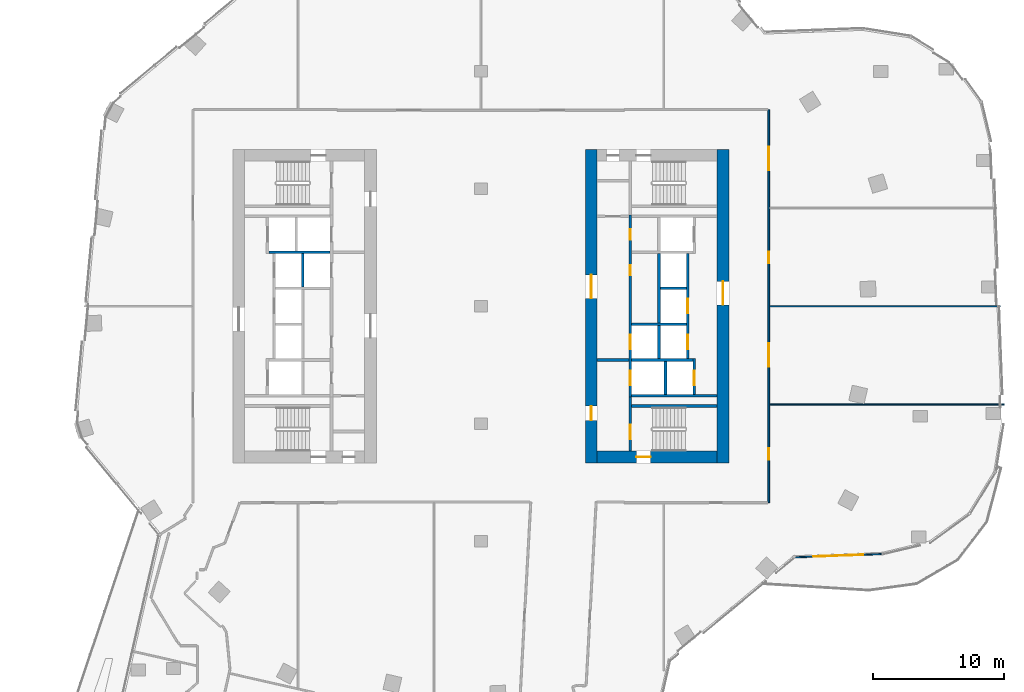
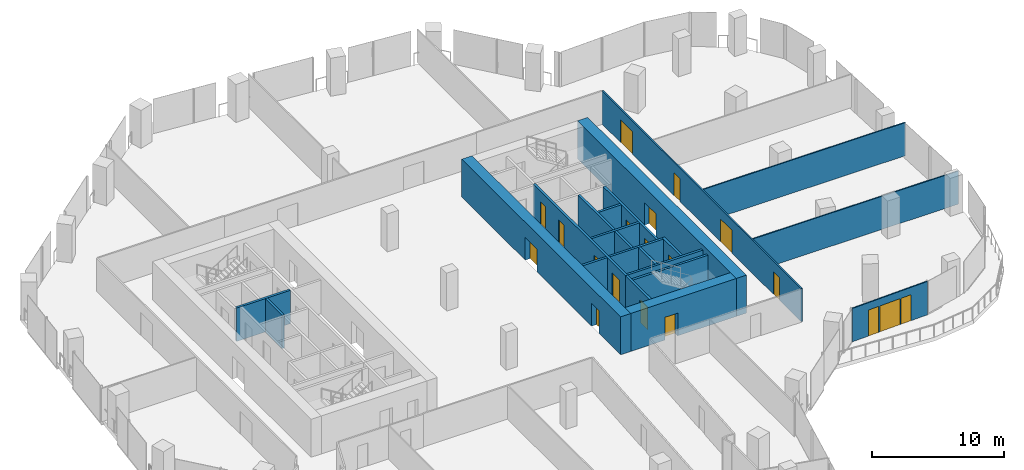
# One storey, part 21 of 28: 22 walls, 17 doors, 2 windows, 19 openings.
"""IFC4 building model written with IfcOpenShell, lengths in metres."""

from ifc_helpers import new_model, si_unit, direction, frame, frame_2d, origin, place, context, subcontext, project, spatial, rectangle, extrude, material, layer, layer_set, type_object, element, fill, save


model = new_model("IFC4")

# Units and contexts
model_context = context("Model", 3, precision=1e-05, world=origin(), true_north=direction((0.0, 1.0)))
body_context = subcontext(model_context, "Body", "Model", "MODEL_VIEW")
ifc_project = project(units=[si_unit("LENGTHUNIT", "METRE"), si_unit("AREAUNIT", "SQUARE_METRE"), si_unit("VOLUMEUNIT", "CUBIC_METRE"), si_unit("PLANEANGLEUNIT", "RADIAN"), si_unit("MASSUNIT", "GRAM", prefix="KILO")], contexts=[model_context])

# Site, building, storey
site_placement = place(None, origin())
site = spatial("IfcSite", under=ifc_project, at=site_placement, CompositionType="ELEMENT")
building_placement = place(site_placement, origin())
building = spatial("IfcBuilding", under=site, at=building_placement, Name="Orlundy Tower", CompositionType="ELEMENT")
storey_placement = place(building_placement, frame((0.0, 0.0, 167.10009765625)))
storey = spatial("IfcBuildingStorey", under=building, at=storey_placement, Name="L43", CompositionType="ELEMENT", Elevation=167.10009765625)

# Wall, opening, door
ifc_material_1 = material(Name="Concrete C70/85", Category="concrete")
ifc_layer_1 = layer(ifc_material_1, 0.89990234375)
ifc_layer_set_1 = layer_set([ifc_layer_1], Name="CORE WALL 900 C70/85")
wall_type_1 = type_object("IfcWallType", Name="CORE WALL 900 C70/85", PredefinedType="SHEAR", material=ifc_layer_set_1)
wall_1_placement = place(storey_placement, frame((8.89990234375, -11.550048828125, 0.0), z_axis=(0.0, 0.0, 1.0), x_axis=(1.0, 0.0, 0.0)))
wall_1 = element("IfcWall", 1, at=wall_1_placement, inside=storey, type_object=wall_type_1, Name="Core wall E-S L43", PredefinedType="SHEAR", context=body_context, shape_type="SweptSolid", body=[
    extrude(rectangle(XDim=9.2001953125, YDim=0.89990234375, at=frame_2d((4.60009765625, 0.0))), origin(), (0.0, 0.0, 1.0), 3.5),
])
opening_1_placement = place(wall_1_placement, frame((3.0, 0.0, 0.0)))
opening_1 = element("IfcOpeningElement", 2, at=opening_1_placement, cuts=wall_1, Name="Opening 34061", PredefinedType="OPENING", context=body_context, shape_type="SweptSolid", body=[
    extrude(rectangle(XDim=1.10009765625, YDim=2.10009765625, at=frame_2d((0.550048828125, 1.050048828125))), frame((0.0, 0.4599609375, 0.0), z_axis=(0.0, -1.0, 0.0), x_axis=(1.0, 0.0, 0.0)), (0.0, 0.0, 1.0), 0.919921875),
])
ifc_material_2 = material(Name="Steel door set", Category="steel")
door_type_1 = type_object("IfcDoorType", Name="Stair Door 1100x2100", OperationType="SINGLE_SWING_LEFT", PredefinedType="DOOR", material=ifc_material_2)
door_1_placement = place(opening_1_placement, origin())
door_1 = element("IfcDoor", 3, at=door_1_placement, inside=storey, type_object=door_type_1, Name="Stair door 34061", OperationType="SINGLE_SWING_LEFT", OverallHeight=2.10009765625, OverallWidth=1.10009765625, PredefinedType="DOOR", context=body_context, shape_type="SweptSolid", body=[
    extrude(rectangle(XDim=1.10009765625, YDim=2.10009765625, at=frame_2d((0.550048828125, 1.050048828125))), frame((0.0, 0.02490234375, 0.0), z_axis=(0.0, -1.0, 0.0), x_axis=(1.0, 0.0, 0.0)), (0.0, 0.0, 1.0), 0.050048828125),
])
fill(opening_1, door_1)

# Wall, openings, doors
wall_2_placement = place(storey_placement, frame((8.449951171875, -12.0, 0.0), z_axis=(0.0, 0.0, 1.0), x_axis=(0.0, 1.0, 0.0)))
wall_2 = element("IfcWall", 4, at=wall_2_placement, inside=storey, type_object=wall_type_1, Name="Core wall E-W L43", PredefinedType="SHEAR", context=body_context, shape_type="SweptSolid", body=[
    extrude(rectangle(XDim=24.0, YDim=0.89990234375, at=frame_2d((12.0, 0.0))), origin(), (0.0, 0.0, 1.0), 3.5),
])
opening_2_placement = place(wall_2_placement, frame((12.60009765625, 0.0, 0.0)))
opening_2 = element("IfcOpeningElement", 5, at=opening_2_placement, cuts=wall_2, Name="Opening 34058", PredefinedType="OPENING", context=body_context, shape_type="SweptSolid", body=[
    extrude(rectangle(XDim=1.800048828125, YDim=2.10009765625, at=frame_2d((0.89990234375, 1.050048828125))), frame((0.0, 0.4599609375, 0.0), z_axis=(0.0, -1.0, 0.0), x_axis=(1.0, 0.0, 0.0)), (0.0, 0.0, 1.0), 0.919921875),
])
opening_3_placement = place(wall_2_placement, frame((3.25, 0.0, 0.0)))
opening_3 = element("IfcOpeningElement", 6, at=opening_3_placement, cuts=wall_2, Name="Opening 34060", PredefinedType="OPENING", context=body_context, shape_type="SweptSolid", body=[
    extrude(rectangle(XDim=1.10009765625, YDim=2.10009765625, at=frame_2d((0.550048828125, 1.050048828125))), frame((0.0, 0.4599609375, 0.0), z_axis=(0.0, -1.0, 0.0), x_axis=(1.0, 0.0, 0.0)), (0.0, 0.0, 1.0), 0.919921875),
])
ifc_material_3 = material(Name="Steel door set", Category="steel")
door_type_2 = type_object("IfcDoorType", Name="Fire-fighting Lobby Door 1100x2100", OperationType="SINGLE_SWING_LEFT", PredefinedType="DOOR", material=ifc_material_3)
door_2_placement = place(opening_3_placement, origin())
door_2 = element("IfcDoor", 7, at=door_2_placement, inside=storey, type_object=door_type_2, Name="Fire-fighting lobby door 34060", OperationType="SINGLE_SWING_LEFT", OverallHeight=2.10009765625, OverallWidth=1.10009765625, PredefinedType="DOOR", context=body_context, shape_type="SweptSolid", body=[
    extrude(rectangle(XDim=1.10009765625, YDim=2.10009765625, at=frame_2d((0.550048828125, 1.050048828125))), frame((0.0, 0.02490234375, 0.0), z_axis=(0.0, -1.0, 0.0), x_axis=(1.0, 0.0, 0.0)), (0.0, 0.0, 1.0), 0.050048828125),
])
fill(opening_3, door_2)
ifc_material_4 = material(Name="Timber door set", Category="wood")
door_type_3 = type_object("IfcDoorType", Name="Lobby Door 1800x2100", OperationType="DOUBLE_DOOR_DOUBLE_SWING", PredefinedType="DOOR", material=ifc_material_4)
door_3_placement = place(opening_2_placement, origin())
door_3 = element("IfcDoor", 8, at=door_3_placement, inside=storey, type_object=door_type_3, Name="Lift lobby door 34058", OperationType="SINGLE_SWING_RIGHT", OverallHeight=2.10009765625, OverallWidth=1.800048828125, PredefinedType="DOOR", context=body_context, shape_type="SweptSolid", body=[
    extrude(rectangle(XDim=1.800048828125, YDim=2.10009765625, at=frame_2d((0.89990234375, 1.050048828125))), frame((0.0, 0.02490234375, 0.0), z_axis=(0.0, -1.0, 0.0), x_axis=(1.0, 0.0, 0.0)), (0.0, 0.0, 1.0), 0.050048828125),
])
fill(opening_2, door_3)

# Wall, opening, door
wall_3_placement = place(storey_placement, frame((18.550048828125, -12.0, 0.0), z_axis=(0.0, 0.0, 1.0), x_axis=(0.0, 1.0, 0.0)))
wall_3 = element("IfcWall", 9, at=wall_3_placement, inside=storey, type_object=wall_type_1, Name="Core wall E-E L43", PredefinedType="SHEAR", context=body_context, shape_type="SweptSolid", body=[
    extrude(rectangle(XDim=24.0, YDim=0.89990234375, at=frame_2d((12.0, 0.0))), origin(), (0.0, 0.0, 1.0), 3.5),
])
opening_4_placement = place(wall_3_placement, frame((12.10009765625, 0.0, 0.0)))
opening_4 = element("IfcOpeningElement", 10, at=opening_4_placement, cuts=wall_3, Name="Opening 34059", PredefinedType="OPENING", context=body_context, shape_type="SweptSolid", body=[
    extrude(rectangle(XDim=1.800048828125, YDim=2.10009765625, at=frame_2d((0.89990234375, 1.050048828125))), frame((0.0, 0.4599609375, 0.0), z_axis=(0.0, -1.0, 0.0), x_axis=(1.0, 0.0, 0.0)), (0.0, 0.0, 1.0), 0.919921875),
])
door_4_placement = place(opening_4_placement, origin())
door_4 = element("IfcDoor", 11, at=door_4_placement, inside=storey, type_object=door_type_3, Name="Lift lobby door 34059", OperationType="SINGLE_SWING_RIGHT", OverallHeight=2.10009765625, OverallWidth=1.800048828125, PredefinedType="DOOR", context=body_context, shape_type="SweptSolid", body=[
    extrude(rectangle(XDim=1.800048828125, YDim=2.10009765625, at=frame_2d((0.89990234375, 1.050048828125))), frame((0.0, 0.02490234375, 0.0), z_axis=(0.0, -1.0, 0.0), x_axis=(1.0, 0.0, 0.0)), (0.0, 0.0, 1.0), 0.050048828125),
])
fill(opening_4, door_4)

# Walls
ifc_material_5 = material(Name="Gypsum board partition")
ifc_layer_2 = layer(ifc_material_5, 0.10009765625)
ifc_layer_set_2 = layer_set([ifc_layer_2], Name="Floor partition 100")
wall_type_2 = type_object("IfcWallType", Name="Floor partition 100", PredefinedType="PARTITIONING", material=ifc_layer_set_2)
wall_4_placement = place(storey_placement, frame((22.113037109375, -7.52392578125, 0.0), z_axis=(0.0, 0.0, 1.0), x_axis=(1.0, 0.0, 0.0)))
element("IfcWall", 12, at=wall_4_placement, inside=storey, type_object=wall_type_2, Name="wall-int-L43-044", PredefinedType="PARTITIONING", context=body_context, shape_type="SweptSolid", body=[
    extrude(rectangle(XDim=17.950927734375, YDim=0.10009765625, at=frame_2d((8.9755859375, 0.0))), origin(), (0.0, 0.0, 1.0), 3.059814453125),
])
wall_5_placement = place(storey_placement, frame((22.113037109375, 0.0, 0.0), z_axis=(0.0, 0.0, 1.0), x_axis=(1.0, 0.0, 0.0)))
element("IfcWall", 13, at=wall_5_placement, inside=storey, type_object=wall_type_2, Name="wall-int-L43-046", PredefinedType="PARTITIONING", context=body_context, shape_type="SweptSolid", body=[
    extrude(rectangle(XDim=17.666015625, YDim=0.10009765625, at=frame_2d((8.8330078125, 0.0))), origin(), (0.0, 0.0, 1.0), 3.059814453125),
])

# Wall, openings, doors
ifc_material_6 = material(Name="Gypsum board partition, double layer")
ifc_layer_3 = layer(ifc_material_6, 0.125)
ifc_layer_set_3 = layer_set([ifc_layer_3], Name="Floor partition 125")
wall_type_3 = type_object("IfcWallType", Name="Floor partition 125", PredefinedType="PARTITIONING", material=ifc_layer_set_3)
wall_6_placement = place(storey_placement, frame((22.051025390625, 15.050048828125, 0.0), z_axis=(0.0, 0.0, 1.0), x_axis=(0.0, -1.0, 0.0)))
wall_6 = element("IfcWall", 14, at=wall_6_placement, inside=storey, type_object=wall_type_3, Name="wall-int-L43-080", PredefinedType="PARTITIONING", context=body_context, shape_type="SweptSolid", body=[
    extrude(rectangle(XDim=30.10009765625, YDim=0.125, at=frame_2d((15.050048828125, 0.0))), origin(), (0.0, 0.0, 1.0), 3.059814453125),
])
opening_5_placement = place(wall_6_placement, frame((25.924072265625, 0.0, 0.0)))
opening_5 = element("IfcOpeningElement", 15, at=opening_5_placement, cuts=wall_6, Name="Opening 34116", PredefinedType="OPENING", context=body_context, shape_type="SweptSolid", body=[
    extrude(rectangle(XDim=0.89990234375, YDim=2.10009765625, at=frame_2d((0.449951171875, 1.050048828125))), frame((0.0, 0.072509765625, 0.0), z_axis=(0.0, -1.0, 0.0), x_axis=(1.0, 0.0, 0.0)), (0.0, 0.0, 1.0), 0.14501953125),
])
opening_6_placement = place(wall_6_placement, frame((17.89990234375, 0.0, 0.0)))
opening_6 = element("IfcOpeningElement", 16, at=opening_6_placement, cuts=wall_6, Name="Opening 34117", PredefinedType="OPENING", context=body_context, shape_type="SweptSolid", body=[
    extrude(rectangle(XDim=1.800048828125, YDim=2.10009765625, at=frame_2d((0.89990234375, 1.050048828125))), frame((0.0, 0.072509765625, 0.0), z_axis=(0.0, -1.0, 0.0), x_axis=(1.0, 0.0, 0.0)), (0.0, 0.0, 1.0), 0.14501953125),
])
opening_7_placement = place(wall_6_placement, frame((10.8759765625, 0.0, 0.0)))
opening_7 = element("IfcOpeningElement", 17, at=opening_7_placement, cuts=wall_6, Name="Opening 34118", PredefinedType="OPENING", context=body_context, shape_type="SweptSolid", body=[
    extrude(rectangle(XDim=0.89990234375, YDim=2.10009765625, at=frame_2d((0.449951171875, 1.050048828125))), frame((0.0, 0.072509765625, 0.0), z_axis=(0.0, -1.0, 0.0), x_axis=(1.0, 0.0, 0.0)), (0.0, 0.0, 1.0), 0.14501953125),
])
opening_8_placement = place(wall_6_placement, frame((2.85009765625, 0.0, 0.0)))
opening_8 = element("IfcOpeningElement", 18, at=opening_8_placement, cuts=wall_6, Name="Opening 34119", PredefinedType="OPENING", context=body_context, shape_type="SweptSolid", body=[
    extrude(rectangle(XDim=1.800048828125, YDim=2.10009765625, at=frame_2d((0.89990234375, 1.050048828125))), frame((0.0, 0.072509765625, 0.0), z_axis=(0.0, -1.0, 0.0), x_axis=(1.0, 0.0, 0.0)), (0.0, 0.0, 1.0), 0.14501953125),
])
ifc_material_7 = material(Name="Timber door leaf", Category="wood")
door_type_4 = type_object("IfcDoorType", Name="Floor door double 1800 FD30S", OperationType="NOTDEFINED", PredefinedType="DOOR", material=ifc_material_7)
door_5_placement = place(opening_6_placement, origin())
door_5 = element("IfcDoor", 19, at=door_5_placement, inside=storey, type_object=door_type_4, Name="Door 34117", OperationType="DOUBLE_DOOR_SINGLE_SWING", OverallHeight=2.10009765625, OverallWidth=1.800048828125, PredefinedType="DOOR", context=body_context, shape_type="SweptSolid", body=[
    extrude(rectangle(XDim=1.800048828125, YDim=2.10009765625, at=frame_2d((0.89990234375, 1.050048828125))), frame((0.0, 0.02490234375, 0.0), z_axis=(0.0, -1.0, 0.0), x_axis=(1.0, 0.0, 0.0)), (0.0, 0.0, 1.0), 0.050048828125),
])
fill(opening_6, door_5)
door_6_placement = place(opening_8_placement, origin())
door_6 = element("IfcDoor", 20, at=door_6_placement, inside=storey, type_object=door_type_4, Name="Door 34119", OperationType="DOUBLE_DOOR_SINGLE_SWING", OverallHeight=2.10009765625, OverallWidth=1.800048828125, PredefinedType="DOOR", context=body_context, shape_type="SweptSolid", body=[
    extrude(rectangle(XDim=1.800048828125, YDim=2.10009765625, at=frame_2d((0.89990234375, 1.050048828125))), frame((0.0, 0.02490234375, 0.0), z_axis=(0.0, -1.0, 0.0), x_axis=(1.0, 0.0, 0.0)), (0.0, 0.0, 1.0), 0.050048828125),
])
fill(opening_8, door_6)
ifc_material_8 = material(Name="Timber door leaf", Category="wood")
door_type_5 = type_object("IfcDoorType", Name="Floor door single 900 FD30S", OperationType="NOTDEFINED", PredefinedType="DOOR", material=ifc_material_8)
door_7_placement = place(opening_5_placement, origin())
door_7 = element("IfcDoor", 21, at=door_7_placement, inside=storey, type_object=door_type_5, Name="Door 34116", OperationType="SINGLE_SWING_RIGHT", OverallHeight=2.10009765625, OverallWidth=0.89990234375, PredefinedType="DOOR", context=body_context, shape_type="SweptSolid", body=[
    extrude(rectangle(XDim=0.89990234375, YDim=2.10009765625, at=frame_2d((0.449951171875, 1.050048828125))), frame((0.0, 0.02490234375, 0.0), z_axis=(0.0, -1.0, 0.0), x_axis=(1.0, 0.0, 0.0)), (0.0, 0.0, 1.0), 0.050048828125),
])
fill(opening_5, door_7)
door_8_placement = place(opening_7_placement, origin())
door_8 = element("IfcDoor", 22, at=door_8_placement, inside=storey, type_object=door_type_5, Name="Door 34118", OperationType="SINGLE_SWING_LEFT", OverallHeight=2.10009765625, OverallWidth=0.89990234375, PredefinedType="DOOR", context=body_context, shape_type="SweptSolid", body=[
    extrude(rectangle(XDim=0.89990234375, YDim=2.10009765625, at=frame_2d((0.449951171875, 1.050048828125))), frame((0.0, 0.02490234375, 0.0), z_axis=(0.0, -1.0, 0.0), x_axis=(1.0, 0.0, 0.0)), (0.0, 0.0, 1.0), 0.050048828125),
])
fill(opening_7, door_8)

# Wall, openings, windows, door
ifc_material_9 = material(Name="Aluminium bronze and tinted glass", Category="aluminium")
ifc_layer_4 = layer(ifc_material_9, 0.10009765625)
ifc_layer_set_4 = layer_set([ifc_layer_4], Name="Glazed door screen")
wall_type_4 = type_object("IfcWallType", Name="Glazed door screen", PredefinedType="STANDARD", material=ifc_layer_set_4)
wall_7_placement = place(storey_placement, frame((30.73095703125, -18.982177734375, 0.0), z_axis=(0.0, 0.0, 1.0), x_axis=(-0.999287341001, -0.037746656995, 0.0)))
wall_7 = element("IfcWall", 23, at=wall_7_placement, inside=storey, type_object=wall_type_4, Name="Glazed door screen", PredefinedType="STANDARD", context=body_context, shape_type="SweptSolid", body=[
    extrude(rectangle(XDim=6.72021484375, YDim=0.10009765625, at=frame_2d((3.360107421875, 0.0))), origin(), (0.0, 0.0, 1.0), 3.079833984375),
])
opening_9_placement = place(wall_7_placement, frame((2.460205078125, 0.0, 0.0)))
opening_9 = element("IfcOpeningElement", 24, at=opening_9_placement, cuts=wall_7, Name="Opening 34940", PredefinedType="OPENING", context=body_context, shape_type="SweptSolid", body=[
    extrude(rectangle(XDim=1.800048828125, YDim=2.39990234375, at=frame_2d((0.89990234375, 1.199951171875))), frame((0.0, 0.06005859375, 0.0), z_axis=(0.0, -1.0, 0.0), x_axis=(1.0, 0.0, 0.0)), (0.0, 0.0, 1.0), 0.1201171875),
])
opening_10_placement = place(wall_7_placement, frame((1.460205078125, 0.0, 0.0)))
opening_10 = element("IfcOpeningElement", 25, at=opening_10_placement, cuts=wall_7, Name="Opening W02", PredefinedType="OPENING", context=body_context, shape_type="SweptSolid", body=[
    extrude(rectangle(XDim=0.89990234375, YDim=2.39990234375, at=frame_2d((0.449951171875, 1.199951171875))), frame((0.0, 0.06005859375, 0.0), z_axis=(0.0, -1.0, 0.0), x_axis=(1.0, 0.0, 0.0)), (0.0, 0.0, 1.0), 0.1201171875),
])
opening_11_placement = place(wall_7_placement, frame((4.360107421875, 0.0, 0.0)))
opening_11 = element("IfcOpeningElement", 26, at=opening_11_placement, cuts=wall_7, Name="Opening W02", PredefinedType="OPENING", context=body_context, shape_type="SweptSolid", body=[
    extrude(rectangle(XDim=0.89990234375, YDim=2.39990234375, at=frame_2d((0.449951171875, 1.199951171875))), frame((0.0, 0.06005859375, 0.0), z_axis=(0.0, -1.0, 0.0), x_axis=(1.0, 0.0, 0.0)), (0.0, 0.0, 1.0), 0.1201171875),
])
ifc_material_10 = material(Name="Tinted glass in bronze aluminium frame", Category="aluminium")
window_type = type_object("IfcWindowType", Name="SL2 sidelight 900x2400", PartitioningType="SINGLE_PANEL", PredefinedType="WINDOW", material=ifc_material_10)
window_1_placement = place(opening_10_placement, origin())
window_1 = element("IfcWindow", 27, at=window_1_placement, inside=storey, type_object=window_type, Name="Window W02 L43", OverallHeight=2.39990234375, OverallWidth=0.89990234375, PartitioningType="SINGLE_PANEL", PredefinedType="WINDOW", context=body_context, shape_type="SweptSolid", body=[
    extrude(rectangle(XDim=0.89990234375, YDim=2.39990234375, at=frame_2d((0.449951171875, 1.199951171875))), frame((0.0, 0.030029296875, 0.0), z_axis=(0.0, -1.0, 0.0), x_axis=(1.0, 0.0, 0.0)), (0.0, 0.0, 1.0), 0.06005859375),
])
fill(opening_10, window_1)
window_2_placement = place(opening_11_placement, origin())
window_2 = element("IfcWindow", 28, at=window_2_placement, inside=storey, type_object=window_type, Name="Window W02 L43", OverallHeight=2.39990234375, OverallWidth=0.89990234375, PartitioningType="SINGLE_PANEL", PredefinedType="WINDOW", context=body_context, shape_type="SweptSolid", body=[
    extrude(rectangle(XDim=0.89990234375, YDim=2.39990234375, at=frame_2d((0.449951171875, 1.199951171875))), frame((0.0, 0.030029296875, 0.0), z_axis=(0.0, -1.0, 0.0), x_axis=(1.0, 0.0, 0.0)), (0.0, 0.0, 1.0), 0.06005859375),
])
fill(opening_11, window_2)
ifc_material_11 = material(Name="Aluminium bronze and tinted glass", Category="aluminium")
door_type_6 = type_object("IfcDoorType", Name="TD1 terrace door 1800x2400", OperationType="NOTDEFINED", PredefinedType="DOOR", material=ifc_material_11)
door_9_placement = place(opening_9_placement, origin())
door_9 = element("IfcDoor", 29, at=door_9_placement, inside=storey, type_object=door_type_6, Name="Door 34940", OperationType="DOUBLE_DOOR_SINGLE_SWING", OverallHeight=2.39990234375, OverallWidth=1.800048828125, PredefinedType="DOOR", context=body_context, shape_type="SweptSolid", body=[
    extrude(rectangle(XDim=1.800048828125, YDim=2.39990234375, at=frame_2d((0.89990234375, 1.199951171875))), frame((0.0, 0.02490234375, 0.0), z_axis=(0.0, -1.0, 0.0), x_axis=(1.0, 0.0, 0.0)), (0.0, 0.0, 1.0), 0.050048828125),
])
fill(opening_9, door_9)

# Wall, opening, door
ifc_material_12 = material(Name="Concrete C40/50", Category="concrete")
ifc_layer_5 = layer(ifc_material_12, 0.199951171875)
ifc_layer_set_5 = layer_set([ifc_layer_5], Name="Load-bearing Shaft Wall 200")
wall_type_5 = type_object("IfcWallType", Name="Load-bearing Shaft Wall 200", PredefinedType="SOLIDWALL", material=ifc_layer_set_5)
wall_8_placement = place(storey_placement, frame((11.43994140625, -6.97509765625, 0.0), z_axis=(0.0, 0.0, 1.0), x_axis=(0.0, -1.0, 0.0)))
wall_8 = element("IfcWall", 30, at=wall_8_placement, inside=storey, type_object=wall_type_5, Name="Shaft wall E34-stair-end-n", PredefinedType="SOLIDWALL", context=body_context, shape_type="SweptSolid", body=[
    extrude(rectangle(XDim=4.125, YDim=0.199951171875, at=frame_2d((2.0625, 0.0))), origin(), (0.0, 0.0, 1.0), 3.079833984375),
])
opening_12_placement = place(wall_8_placement, frame((2.10009765625, 0.0, 0.0)))
opening_12 = element("IfcOpeningElement", 31, at=opening_12_placement, cuts=wall_8, Name="Opening 34063", PredefinedType="OPENING", context=body_context, shape_type="SweptSolid", body=[
    extrude(rectangle(XDim=1.10009765625, YDim=2.10009765625, at=frame_2d((0.550048828125, 1.050048828125))), frame((0.0, 0.110107421875, 0.0), z_axis=(0.0, -1.0, 0.0), x_axis=(1.0, 0.0, 0.0)), (0.0, 0.0, 1.0), 0.22021484375),
])
door_10_placement = place(opening_12_placement, origin())
door_10 = element("IfcDoor", 32, at=door_10_placement, inside=storey, type_object=door_type_2, Name="Fire-fighting lobby to stair door 34063", OperationType="SINGLE_SWING_RIGHT", OverallHeight=2.10009765625, OverallWidth=1.10009765625, PredefinedType="DOOR", context=body_context, shape_type="SweptSolid", body=[
    extrude(rectangle(XDim=1.10009765625, YDim=2.10009765625, at=frame_2d((0.550048828125, 1.050048828125))), frame((0.0, 0.02490234375, 0.0), z_axis=(0.0, -1.0, 0.0), x_axis=(1.0, 0.0, 0.0)), (0.0, 0.0, 1.0), 0.050048828125),
])
fill(opening_12, door_10)

# Walls
wall_9_placement = place(storey_placement, frame((11.5400390625, -7.64990234375, 0.0), z_axis=(0.0, 0.0, 1.0), x_axis=(1.0, 0.0, 0.0)))
element("IfcWall", 33, at=wall_9_placement, inside=storey, type_object=wall_type_5, Name="Shaft wall E34-stair-side-n", PredefinedType="SOLIDWALL", context=body_context, shape_type="SweptSolid", body=[
    extrude(rectangle(XDim=6.56005859375, YDim=0.199951171875, at=frame_2d((3.280029296875, 0.0))), origin(), (0.0, 0.0, 1.0), 3.079833984375),
])
ifc_material_13 = material(Name="Gypsum board partition on steel studs", Category="steel")
ifc_layer_6 = layer(ifc_material_13, 0.199951171875)
ifc_layer_set_6 = layer_set([ifc_layer_6], Name="Partition 200")
wall_type_6 = type_object("IfcWallType", Name="Partition 200", PredefinedType="PARTITIONING", material=ifc_layer_set_6)
wall_10_placement = place(storey_placement, frame((8.89990234375, -4.125, 0.0), z_axis=(0.0, 0.0, 1.0), x_axis=(1.0, 0.0, 0.0)))
element("IfcWall", 34, at=wall_10_placement, inside=storey, type_object=wall_type_6, Name="Partition wall E34-lobby-n", PredefinedType="PARTITIONING", context=body_context, shape_type="SweptSolid", body=[
    extrude(rectangle(XDim=2.440185546875, YDim=0.199951171875, at=frame_2d((1.22021484375, 0.0))), origin(), (0.0, 0.0, 1.0), 3.079833984375),
])
ifc_material_14 = material(Name="Fire-rated blockwork shaft wall", Category="masonry")
ifc_layer_7 = layer(ifc_material_14, 0.199951171875)
ifc_layer_set_7 = layer_set([ifc_layer_7], Name="Shaft Wall 200")
wall_type_7 = type_object("IfcWallType", Name="Shaft Wall 200", PredefinedType="SOLIDWALL", material=ifc_layer_set_7)
wall_11_placement = place(storey_placement, frame((-11.5400390625, 4.125, 0.0), z_axis=(0.0, 0.0, 1.0), x_axis=(-1.0, 0.0, 0.0)))
element("IfcWall", 35, at=wall_11_placement, inside=storey, type_object=wall_type_7, Name="Shaft wall W34-cross+4.125", PredefinedType="SOLIDWALL", context=body_context, shape_type="SweptSolid", body=[
    extrude(rectangle(XDim=4.699951171875, YDim=0.199951171875, at=frame_2d((2.35009765625, 0.0))), origin(), (0.0, 0.0, 1.0), 3.079833984375),
])
wall_12_placement = place(storey_placement, frame((-13.639892578125, 1.47509765625, 0.0), z_axis=(0.0, 0.0, 1.0), x_axis=(0.0, 1.0, 0.0)))
element("IfcWall", 36, at=wall_12_placement, inside=storey, type_object=wall_type_7, Name="Shaft wall W34-mid-a.2", PredefinedType="SOLIDWALL", context=body_context, shape_type="SweptSolid", body=[
    extrude(rectangle(XDim=2.5498046875, YDim=0.199951171875, at=frame_2d((1.27490234375, 0.0))), origin(), (0.0, 0.0, 1.0), 3.079833984375),
])
wall_13_placement = place(storey_placement, frame((11.5400390625, -6.875, 0.0), z_axis=(0.0, 0.0, 1.0), x_axis=(1.0, 0.0, 0.0)))
element("IfcWall", 37, at=wall_13_placement, inside=storey, type_object=wall_type_7, Name="Shaft wall E34-zone-n", PredefinedType="SOLIDWALL", context=body_context, shape_type="SweptSolid", body=[
    extrude(rectangle(XDim=6.56005859375, YDim=0.199951171875, at=frame_2d((3.280029296875, 0.0))), origin(), (0.0, 0.0, 1.0), 3.079833984375),
])
wall_14_placement = place(storey_placement, frame((13.739990234375, 1.375, 0.0), z_axis=(0.0, 0.0, 1.0), x_axis=(1.0, 0.0, 0.0)))
element("IfcWall", 38, at=wall_14_placement, inside=storey, type_object=wall_type_7, Name="Shaft wall E34-cross-1.375", PredefinedType="SOLIDWALL", context=body_context, shape_type="SweptSolid", body=[
    extrude(rectangle(XDim=2.0, YDim=0.199951171875, at=frame_2d((1.0, 0.0))), origin(), (0.0, 0.0, 1.0), 3.079833984375),
])
wall_15_placement = place(storey_placement, frame((11.5400390625, -1.375, 0.0), z_axis=(0.0, 0.0, 1.0), x_axis=(1.0, 0.0, 0.0)))
element("IfcWall", 39, at=wall_15_placement, inside=storey, type_object=wall_type_7, Name="Shaft wall E34-cross+1.375", PredefinedType="SOLIDWALL", context=body_context, shape_type="SweptSolid", body=[
    extrude(rectangle(XDim=4.199951171875, YDim=0.199951171875, at=frame_2d((2.10009765625, 0.0))), origin(), (0.0, 0.0, 1.0), 3.079833984375),
])
wall_16_placement = place(storey_placement, frame((11.5400390625, -4.125, 0.0), z_axis=(0.0, 0.0, 1.0), x_axis=(1.0, 0.0, 0.0)))
element("IfcWall", 40, at=wall_16_placement, inside=storey, type_object=wall_type_7, Name="Shaft wall E34-cross+4.125", PredefinedType="SOLIDWALL", context=body_context, shape_type="SweptSolid", body=[
    extrude(rectangle(XDim=4.699951171875, YDim=0.199951171875, at=frame_2d((2.35009765625, 0.0))), origin(), (0.0, 0.0, 1.0), 3.079833984375),
])

# Wall, openings, doors
wall_17_placement = place(storey_placement, frame((11.43994140625, 6.97509765625, 0.0), z_axis=(0.0, 0.0, 1.0), x_axis=(0.0, -1.0, 0.0)))
wall_17 = element("IfcWall", 41, at=wall_17_placement, inside=storey, type_object=wall_type_7, Name="Shaft wall E34-front-h", PredefinedType="SOLIDWALL", context=body_context, shape_type="SweptSolid", body=[
    extrude(rectangle(XDim=13.9501953125, YDim=0.199951171875, at=frame_2d((6.97509765625, 0.0))), origin(), (0.0, 0.0, 1.0), 3.079833984375),
])
opening_13_placement = place(wall_17_placement, frame((9.175048828125, 0.0, 0.0)))
opening_13 = element("IfcOpeningElement", 42, at=opening_13_placement, cuts=wall_17, Name="Opening 34052", PredefinedType="OPENING", context=body_context, shape_type="SweptSolid", body=[
    extrude(rectangle(XDim=1.10009765625, YDim=2.10009765625, at=frame_2d((0.550048828125, 1.050048828125))), frame((0.0, 0.110107421875, 0.0), z_axis=(0.0, -1.0, 0.0), x_axis=(1.0, 0.0, 0.0)), (0.0, 0.0, 1.0), 0.22021484375),
])
opening_14_placement = place(wall_17_placement, frame((11.925048828125, 0.0, 0.0)))
opening_14 = element("IfcOpeningElement", 43, at=opening_14_placement, cuts=wall_17, Name="Opening 34054", PredefinedType="OPENING", context=body_context, shape_type="SweptSolid", body=[
    extrude(rectangle(XDim=1.10009765625, YDim=2.10009765625, at=frame_2d((0.550048828125, 1.050048828125))), frame((0.0, 0.110107421875, 0.0), z_axis=(0.0, -1.0, 0.0), x_axis=(1.0, 0.0, 0.0)), (0.0, 0.0, 1.0), 0.22021484375),
])
opening_15_placement = place(wall_17_placement, frame((1.074951171875, 0.0, 0.0)))
opening_15 = element("IfcOpeningElement", 44, at=opening_15_placement, cuts=wall_17, Name="Opening 34056", PredefinedType="OPENING", context=body_context, shape_type="SweptSolid", body=[
    extrude(rectangle(XDim=0.800048828125, YDim=2.10009765625, at=frame_2d((0.39990234375, 1.050048828125))), frame((0.0, 0.110107421875, 0.0), z_axis=(0.0, -1.0, 0.0), x_axis=(1.0, 0.0, 0.0)), (0.0, 0.0, 1.0), 0.22021484375),
])
opening_16_placement = place(wall_17_placement, frame((3.824951171875, 0.0, 0.0)))
opening_16 = element("IfcOpeningElement", 45, at=opening_16_placement, cuts=wall_17, Name="Opening 34057", PredefinedType="OPENING", context=body_context, shape_type="SweptSolid", body=[
    extrude(rectangle(XDim=0.800048828125, YDim=2.10009765625, at=frame_2d((0.39990234375, 1.050048828125))), frame((0.0, 0.110107421875, 0.0), z_axis=(0.0, -1.0, 0.0), x_axis=(1.0, 0.0, 0.0)), (0.0, 0.0, 1.0), 0.22021484375),
])
ifc_material_15 = material(Name="Steel door set", Category="steel")
door_type_7 = type_object("IfcDoorType", Name="Landing Door 1100x2100", OperationType="DOUBLE_DOOR_SLIDING", PredefinedType="DOOR", material=ifc_material_15)
door_11_placement = place(opening_13_placement, origin())
door_11 = element("IfcDoor", 46, at=door_11_placement, inside=storey, type_object=door_type_7, Name="Lift landing door LP-16 34052", OperationType="DOUBLE_DOOR_SLIDING", OverallHeight=2.10009765625, OverallWidth=1.10009765625, PredefinedType="DOOR", context=body_context, shape_type="SweptSolid", body=[
    extrude(rectangle(XDim=1.10009765625, YDim=2.10009765625, at=frame_2d((0.550048828125, 1.050048828125))), frame((0.0, 0.02490234375, 0.0), z_axis=(0.0, -1.0, 0.0), x_axis=(1.0, 0.0, 0.0)), (0.0, 0.0, 1.0), 0.050048828125),
])
fill(opening_13, door_11)
door_12_placement = place(opening_14_placement, origin())
door_12 = element("IfcDoor", 47, at=door_12_placement, inside=storey, type_object=door_type_7, Name="Lift landing door FL2 34054", OperationType="DOUBLE_DOOR_SLIDING", OverallHeight=2.10009765625, OverallWidth=1.10009765625, PredefinedType="DOOR", context=body_context, shape_type="SweptSolid", body=[
    extrude(rectangle(XDim=1.10009765625, YDim=2.10009765625, at=frame_2d((0.550048828125, 1.050048828125))), frame((0.0, 0.02490234375, 0.0), z_axis=(0.0, -1.0, 0.0), x_axis=(1.0, 0.0, 0.0)), (0.0, 0.0, 1.0), 0.050048828125),
])
fill(opening_14, door_12)
ifc_material_16 = material(Name="Timber door set", Category="wood")
door_type_8 = type_object("IfcDoorType", Name="Riser Door 800x2100", OperationType="SINGLE_SWING_LEFT", PredefinedType="DOOR", material=ifc_material_16)
door_13_placement = place(opening_15_placement, origin())
door_13 = element("IfcDoor", 48, at=door_13_placement, inside=storey, type_object=door_type_8, Name="Pantry Store door 34056", OperationType="SINGLE_SWING_LEFT", OverallHeight=2.10009765625, OverallWidth=0.800048828125, PredefinedType="DOOR", context=body_context, shape_type="SweptSolid", body=[
    extrude(rectangle(XDim=0.800048828125, YDim=2.10009765625, at=frame_2d((0.39990234375, 1.050048828125))), frame((0.0, 0.02490234375, 0.0), z_axis=(0.0, -1.0, 0.0), x_axis=(1.0, 0.0, 0.0)), (0.0, 0.0, 1.0), 0.050048828125),
])
fill(opening_15, door_13)
door_14_placement = place(opening_16_placement, origin())
door_14 = element("IfcDoor", 49, at=door_14_placement, inside=storey, type_object=door_type_8, Name="AV Store door 34057", OperationType="SINGLE_SWING_LEFT", OverallHeight=2.10009765625, OverallWidth=0.800048828125, PredefinedType="DOOR", context=body_context, shape_type="SweptSolid", body=[
    extrude(rectangle(XDim=0.800048828125, YDim=2.10009765625, at=frame_2d((0.39990234375, 1.050048828125))), frame((0.0, 0.02490234375, 0.0), z_axis=(0.0, -1.0, 0.0), x_axis=(1.0, 0.0, 0.0)), (0.0, 0.0, 1.0), 0.050048828125),
])
fill(opening_16, door_14)

# Walls
wall_18_placement = place(storey_placement, frame((13.639892578125, 4.02490234375, 0.0), z_axis=(0.0, 0.0, 1.0), x_axis=(0.0, -1.0, 0.0)))
element("IfcWall", 50, at=wall_18_placement, inside=storey, type_object=wall_type_7, Name="Shaft wall E34-mid-a.1", PredefinedType="SOLIDWALL", context=body_context, shape_type="SweptSolid", body=[
    extrude(rectangle(XDim=5.2998046875, YDim=0.199951171875, at=frame_2d((2.64990234375, 0.0))), origin(), (0.0, 0.0, 1.0), 3.079833984375),
])
for number, where, z_axis, x_axis, name in (
    (51, (13.639892578125, -1.47509765625, 0.0), (0.0, 0.0, 1.0), (0.0, -1.0, 0.0), "Shaft wall E34-mid-a.2"),
    (52, (14.139892578125, -4.22509765625, 0.0), (0.0, 0.0, 1.0), (0.0, -1.0, 0.0), "Shaft wall E34-mid-b"),
):
    element("IfcWall", number, at=place(storey_placement, frame(where, z_axis=z_axis, x_axis=x_axis)), inside=storey, type_object=wall_type_7, Name=name, PredefinedType="SOLIDWALL", context=body_context, shape_type="SweptSolid", body=[
        extrude(rectangle(XDim=2.5498046875, YDim=0.199951171875, at=frame_2d((1.27490234375, 0.0))), origin(), (0.0, 0.0, 1.0), 3.079833984375),
    ])

# Wall, openings, doors
wall_19_placement = place(storey_placement, frame((15.840087890625, 4.02490234375, 0.0), z_axis=(0.0, 0.0, 1.0), x_axis=(0.0, -1.0, 0.0)))
wall_19 = element("IfcWall", 53, at=wall_19_placement, inside=storey, type_object=wall_type_7, Name="Shaft wall E34-front-o-b", PredefinedType="SOLIDWALL", context=body_context, shape_type="SweptSolid", body=[
    extrude(rectangle(XDim=8.0498046875, YDim=0.199951171875, at=frame_2d((4.02490234375, 0.0))), origin(), (0.0, 0.0, 1.0), 3.079833984375),
])
opening_17_placement = place(wall_19_placement, frame((3.47509765625, 0.0, 0.0)))
opening_17 = element("IfcOpeningElement", 54, at=opening_17_placement, cuts=wall_19, Name="Opening 34051", PredefinedType="OPENING", context=body_context, shape_type="SweptSolid", body=[
    extrude(rectangle(XDim=1.10009765625, YDim=2.10009765625, at=frame_2d((0.550048828125, 1.050048828125))), frame((0.0, 0.110107421875, 0.0), z_axis=(0.0, -1.0, 0.0), x_axis=(1.0, 0.0, 0.0)), (0.0, 0.0, 1.0), 0.22021484375),
])
opening_18_placement = place(wall_19_placement, frame((6.22509765625, 0.0, 0.0)))
opening_18 = element("IfcOpeningElement", 55, at=opening_18_placement, cuts=wall_19, Name="Opening 34053", PredefinedType="OPENING", context=body_context, shape_type="SweptSolid", body=[
    extrude(rectangle(XDim=1.10009765625, YDim=2.10009765625, at=frame_2d((0.550048828125, 1.050048828125))), frame((0.0, 0.110107421875, 0.0), z_axis=(0.0, -1.0, 0.0), x_axis=(1.0, 0.0, 0.0)), (0.0, 0.0, 1.0), 0.22021484375),
])
door_15_placement = place(opening_17_placement, origin())
door_15 = element("IfcDoor", 56, at=door_15_placement, inside=storey, type_object=door_type_7, Name="Lift landing door LP-15 34051", OperationType="DOUBLE_DOOR_SLIDING", OverallHeight=2.10009765625, OverallWidth=1.10009765625, PredefinedType="DOOR", context=body_context, shape_type="SweptSolid", body=[
    extrude(rectangle(XDim=1.10009765625, YDim=2.10009765625, at=frame_2d((0.550048828125, 1.050048828125))), frame((0.0, 0.02490234375, 0.0), z_axis=(0.0, -1.0, 0.0), x_axis=(1.0, 0.0, 0.0)), (0.0, 0.0, 1.0), 0.050048828125),
])
fill(opening_17, door_15)
door_16_placement = place(opening_18_placement, origin())
door_16 = element("IfcDoor", 57, at=door_16_placement, inside=storey, type_object=door_type_7, Name="Lift landing door LP-17 34053", OperationType="DOUBLE_DOOR_SLIDING", OverallHeight=2.10009765625, OverallWidth=1.10009765625, PredefinedType="DOOR", context=body_context, shape_type="SweptSolid", body=[
    extrude(rectangle(XDim=1.10009765625, YDim=2.10009765625, at=frame_2d((0.550048828125, 1.050048828125))), frame((0.0, 0.02490234375, 0.0), z_axis=(0.0, -1.0, 0.0), x_axis=(1.0, 0.0, 0.0)), (0.0, 0.0, 1.0), 0.050048828125),
])
fill(opening_18, door_16)

# Wall, opening, door
wall_20_placement = place(storey_placement, frame((16.340087890625, -4.02490234375, 0.0), z_axis=(0.0, 0.0, 1.0), x_axis=(0.0, -1.0, 0.0)))
wall_20 = element("IfcWall", 58, at=wall_20_placement, inside=storey, type_object=wall_type_7, Name="Shaft wall E34-front-o-c", PredefinedType="SOLIDWALL", context=body_context, shape_type="SweptSolid", body=[
    extrude(rectangle(XDim=2.75, YDim=0.199951171875, at=frame_2d((1.375, 0.0))), origin(), (0.0, 0.0, 1.0), 3.079833984375),
])
opening_19_placement = place(wall_20_placement, frame((0.925048828125, 0.0, 0.0)))
opening_19 = element("IfcOpeningElement", 59, at=opening_19_placement, cuts=wall_20, Name="Opening 34055", PredefinedType="OPENING", context=body_context, shape_type="SweptSolid", body=[
    extrude(rectangle(XDim=1.10009765625, YDim=2.10009765625, at=frame_2d((0.550048828125, 1.050048828125))), frame((0.0, 0.110107421875, 0.0), z_axis=(0.0, -1.0, 0.0), x_axis=(1.0, 0.0, 0.0)), (0.0, 0.0, 1.0), 0.22021484375),
])
door_17_placement = place(opening_19_placement, origin())
door_17 = element("IfcDoor", 60, at=door_17_placement, inside=storey, type_object=door_type_7, Name="Lift landing door LP-18 34055", OperationType="DOUBLE_DOOR_SLIDING", OverallHeight=2.10009765625, OverallWidth=1.10009765625, PredefinedType="DOOR", context=body_context, shape_type="SweptSolid", body=[
    extrude(rectangle(XDim=1.10009765625, YDim=2.10009765625, at=frame_2d((0.550048828125, 1.050048828125))), frame((0.0, 0.02490234375, 0.0), z_axis=(0.0, -1.0, 0.0), x_axis=(1.0, 0.0, 0.0)), (0.0, 0.0, 1.0), 0.050048828125),
])
fill(opening_19, door_17)

save(model, "model.ifc")
